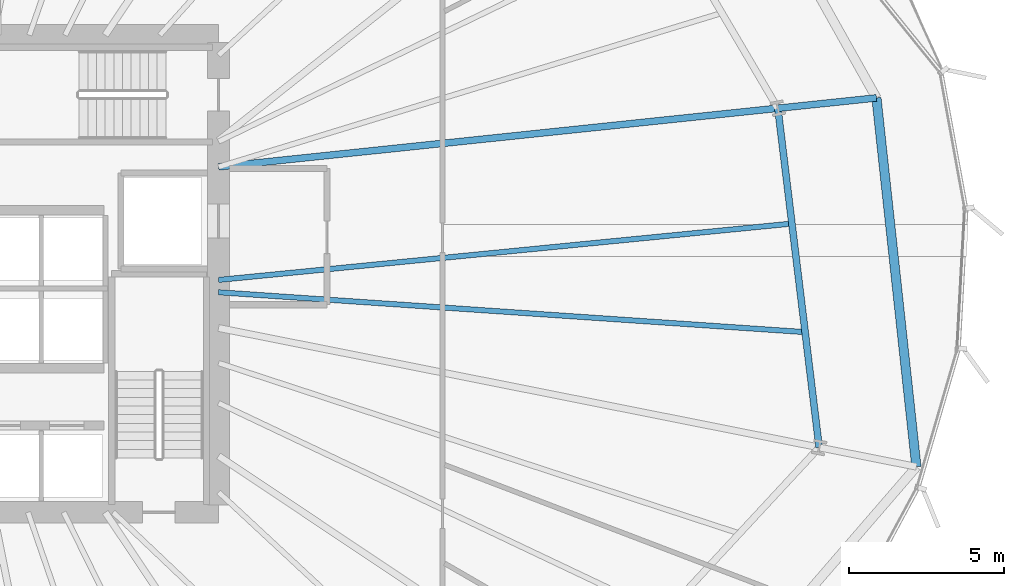
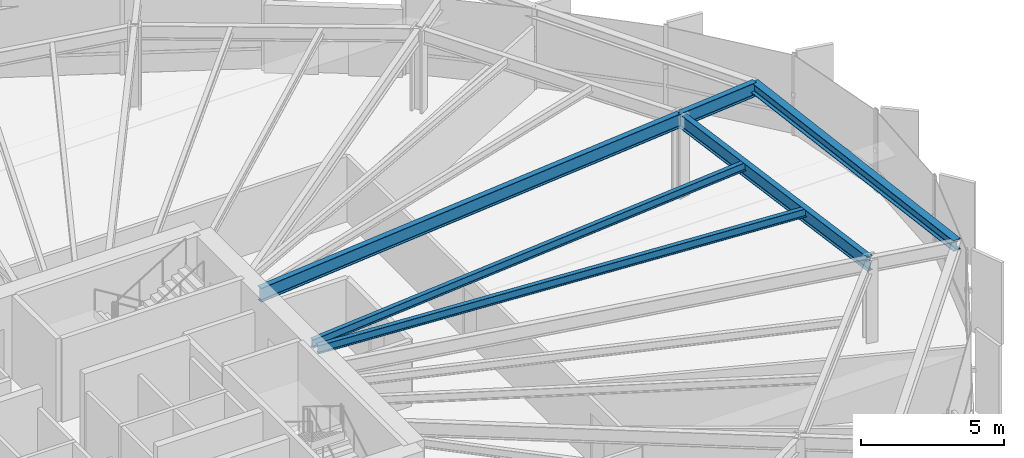
# One storey, part 17 of 39: 6 beams.
"""IFC4 building model written with IfcOpenShell, lengths in metres."""

import ifcopenshell
import ifcopenshell.guid

model = None  # the IFC model being written
_history = None  # IfcOwnerHistory: only IFC2X3 demands one
_inside = {}  # id of a spatial element -> (the spatial element, [elements in it])
_under = {}  # id of a project, library or spatial element -> (it, [spatial elements below it])
_declared = {}  # id of a project -> (the project, [libraries it declares])
_typed = {}  # id of a type object -> (the type object, [elements of that type])
_made_of = {}  # id of a material, layer set ... -> (it, [elements and type objects made of it])


def new_model(schema):
    """Start an empty IFC model of exactly this schema.

    Asked for "IFC4X3", IfcOpenShell would pick the latest addendum, in which some entities
    have other attributes; the version numbers below select the first issue.
    IFC2X3 requires an IfcOwnerHistory on every rooted entity: one is made here for all.
    """
    global model, _history
    if schema == "IFC4X3":
        model = ifcopenshell.file(schema_version=(4, 3, 0, 0))
    else:
        model = ifcopenshell.file(schema=schema)
    _inside.clear()
    _under.clear()
    _declared.clear()
    _typed.clear()
    _made_of.clear()
    _history = None
    if model.schema == "IFC2X3":
        org = make("IfcOrganization", Name="unknown")
        user = make(
            "IfcPersonAndOrganization",
            ThePerson=make("IfcPerson", FamilyName="unknown"),
            TheOrganization=org,
        )
        app = make(
            "IfcApplication",
            ApplicationDeveloper=org,
            Version="unknown",
            ApplicationFullName="unknown",
            ApplicationIdentifier="unknown",
        )
        _history = make(
            "IfcOwnerHistory",
            OwningUser=user,
            OwningApplication=app,
            ChangeAction="ADDED",
            CreationDate=0,
        )
    return model


def make(cls, **values):
    """One entity of the class cls with the attributes given. An attribute that is None is left unset."""
    return model.create_entity(
        cls, **{name: value for name, value in values.items() if value is not None}
    )


def rooted(cls, **values):
    """An entity with a GlobalId (a new one), such as an element, a storey or a relation."""
    return make(cls, GlobalId=ifcopenshell.guid.new(), OwnerHistory=_history, **values)


def si_unit(unit_type, name, prefix=None):
    """IfcSIUnit, for example si_unit("LENGTHUNIT", "METRE", prefix="MILLI")."""
    return make("IfcSIUnit", UnitType=unit_type, Prefix=prefix, Name=name)


def assignment(units):
    """IfcUnitAssignment: the units of a project."""
    return None if units is None else make("IfcUnitAssignment", Units=units)


def point(xyz):
    """IfcCartesianPoint."""
    return None if xyz is None else make("IfcCartesianPoint", Coordinates=xyz)


def direction(xyz):
    """IfcDirection."""
    return None if xyz is None else make("IfcDirection", DirectionRatios=xyz)


def frame(location, z_axis=None, x_axis=None):
    """IfcAxis2Placement3D, a coordinate frame: its origin and axes. An axis left out is left unset."""
    return make(
        "IfcAxis2Placement3D",
        Location=point(location),
        Axis=direction(z_axis),
        RefDirection=direction(x_axis),
    )


def frame_2d(location, x_axis=None):
    """IfcAxis2Placement2D, a coordinate frame in the plane: its origin and x axis."""
    return make(
        "IfcAxis2Placement2D", Location=point(location), RefDirection=direction(x_axis)
    )


def origin():
    """The frame at (0, 0, 0) with its axes left unset."""
    return frame((0.0, 0.0, 0.0))


def origin_2d():
    """The frame at (0, 0) in the plane with its x axis left unset."""
    return frame_2d((0.0, 0.0))


def place(relative_to, where):
    """IfcLocalPlacement: puts the frame where relative to a parent placement (None: the world)."""
    return make(
        "IfcLocalPlacement", PlacementRelTo=relative_to, RelativePlacement=where
    )


def context(
    kind, dimensions, precision=None, world=None, true_north=None, identifier=None
):
    """IfcGeometricRepresentationContext, for example the 3D "Model" context."""
    return make(
        "IfcGeometricRepresentationContext",
        ContextIdentifier=identifier,
        ContextType=kind,
        CoordinateSpaceDimension=dimensions,
        Precision=precision,
        WorldCoordinateSystem=world,
        TrueNorth=true_north,
    )


def subcontext(parent, identifier, kind, view, scale=None):
    """IfcGeometricRepresentationSubContext, for example "Body" below "Model"."""
    return make(
        "IfcGeometricRepresentationSubContext",
        ContextIdentifier=identifier,
        ContextType=kind,
        ParentContext=parent,
        TargetScale=scale,
        TargetView=view,
    )


def project(units=None, contexts=None):
    """IfcProject with its units and contexts."""
    return rooted(
        "IfcProject",
        Name="project",
        RepresentationContexts=contexts,
        UnitsInContext=assignment(units),
    )


def spatial(cls, under=None, at=None, **own):
    """A site, building, storey or space (cls), placed at a placement, below another one or the project."""
    s = rooted(cls, ObjectPlacement=at, **own)
    if under is not None:
        _under.setdefault(under.id(), (under, []))[1].append(s)
    return s


def profile(cls, at=None, kind="AREA", **sizes):
    """A parametric profile (cls). Its sizes go by their IFC names, for example OverallWidth=200.0."""
    return make(cls, ProfileType=kind, Position=at, **sizes)


def i_section(**sizes):
    """IfcIShapeProfileDef."""
    return profile("IfcIShapeProfileDef", **sizes)


def extrude(swept, where, along, depth):
    """IfcExtrudedAreaSolid: the profile swept, set in the frame where, extruded along a direction by depth."""
    return make(
        "IfcExtrudedAreaSolid",
        SweptArea=swept,
        Position=where,
        ExtrudedDirection=direction(along),
        Depth=depth,
    )


def shape(context_of_items, identifier, shape_type, items):
    """IfcShapeRepresentation: the items that make up one representation, for example the "Body"."""
    return make(
        "IfcShapeRepresentation",
        ContextOfItems=context_of_items,
        RepresentationIdentifier=identifier,
        RepresentationType=shape_type,
        Items=items,
    )


def source(mapping_origin, context_of_items, identifier, shape_type, items):
    """IfcRepresentationMap: a shape defined once, which mapped items show again and again."""
    return make(
        "IfcRepresentationMap",
        MappingOrigin=mapping_origin,
        MappedRepresentation=shape(context_of_items, identifier, shape_type, items),
    )


def transform(
    local_origin,
    x_axis=None,
    y_axis=None,
    z_axis=None,
    scale=None,
    scale2=None,
    scale3=None,
    uniform=True,
):
    """IfcCartesianTransformationOperator3D, or its non-uniform kind. x_axis, y_axis, z_axis: its Axis1, 2, 3."""
    if uniform:
        return make(
            "IfcCartesianTransformationOperator3D",
            Axis1=direction(x_axis),
            Axis2=direction(y_axis),
            LocalOrigin=point(local_origin),
            Scale=scale,
            Axis3=direction(z_axis),
        )
    return make(
        "IfcCartesianTransformationOperator3DnonUniform",
        Axis1=direction(x_axis),
        Axis2=direction(y_axis),
        LocalOrigin=point(local_origin),
        Scale=scale,
        Axis3=direction(z_axis),
        Scale2=scale2,
        Scale3=scale3,
    )


def mapped(mapping_source, mapping_target):
    """IfcMappedItem: shows the shape of a source again, moved by a transform."""
    return make(
        "IfcMappedItem", MappingSource=mapping_source, MappingTarget=mapping_target
    )


def material(Name=None, Category=None):
    """IfcMaterial."""
    return make("IfcMaterial", Name=Name, Category=Category)


def material_profile(
    of_material, cross_section, Name=None, Category=None, Priority=None
):
    """IfcMaterialProfile: a cross section and its material."""
    return make(
        "IfcMaterialProfile",
        Name=Name,
        Material=of_material,
        Profile=cross_section,
        Priority=Priority,
        Category=Category,
    )


def profile_set(profiles, Name=None, composite=None):
    """IfcMaterialProfileSet."""
    return make(
        "IfcMaterialProfileSet",
        Name=Name,
        MaterialProfiles=profiles,
        CompositeProfile=composite,
    )


def made_of(thing, what):
    """Note that an element or type object is made of a material, layer set ...; save() writes the relation."""
    if what is not None:
        _made_of.setdefault(what.id(), (what, []))[1].append(thing)
    return thing


def type_object(cls, material=None, **own):
    """A type object (cls), such as IfcWallType, which elements share."""
    return made_of(rooted(cls, **own), material)


def element(
    cls,
    number,
    at=None,
    inside=None,
    cuts=None,
    type_object=None,
    material=None,
    context=None,
    identifier="Body",
    shape_type=None,
    held_by="IfcProductDefinitionShape",
    body=None,
    shapes=None,
    **own,
):
    """One element of the class cls, such as IfcWall. Its Tag is "e" and its number.

    at: its placement. inside: the storey or other place that contains it. cuts: it is an
    opening in that element (IfcRelVoidsElement). A single representation is given by context,
    identifier, shape_type and body (its items); several are given by shapes. held_by: the class
    of the entity that holds the representations. save() writes the other relations.
    """
    e = rooted(cls, Tag="e%d" % number, ObjectPlacement=at, **own)
    if body is not None:
        shapes = [shape(context, identifier, shape_type, body)]
    if shapes is not None:
        e.Representation = make(held_by, Representations=shapes)
    if inside is not None:
        _inside.setdefault(inside.id(), (inside, []))[1].append(e)
    if cuts is not None:
        rooted(
            "IfcRelVoidsElement", RelatingBuildingElement=cuts, RelatedOpeningElement=e
        )
    if type_object is not None:
        _typed.setdefault(type_object.id(), (type_object, []))[1].append(e)
    return made_of(e, material)


def aggregate(whole, parts):
    """IfcRelAggregates: a whole, such as a stair, and the parts it consists of."""
    return rooted("IfcRelAggregates", RelatingObject=whole, RelatedObjects=parts)


def save(model, path):
    """Write the relations noted so far, then the file.

    IfcRelAggregates (storeys below a building ...), IfcRelContainedInSpatialStructure (elements
    in a storey), IfcRelDefinesByType, IfcRelAssociatesMaterial and IfcRelDeclares: one each for
    every whole, place, type object, material and project.
    """
    for whole, parts in _under.values():
        aggregate(whole, parts)
    for where, things in _inside.values():
        rooted(
            "IfcRelContainedInSpatialStructure",
            RelatedElements=things,
            RelatingStructure=where,
        )
    for kind, things in _typed.values():
        rooted("IfcRelDefinesByType", RelatedObjects=things, RelatingType=kind)
    for what, things in _made_of.values():
        rooted("IfcRelAssociatesMaterial", RelatedObjects=things, RelatingMaterial=what)
    for by, libraries in _declared.values():
        rooted("IfcRelDeclares", RelatingContext=by, RelatedDefinitions=libraries)
    model.write(path)


model = new_model("IFC4")

# Units and contexts
model_context = context("Model", 3, precision=1e-05, world=origin(), true_north=direction((0.0, 1.0)))
body_context = subcontext(model_context, "Body", "Model", "MODEL_VIEW")
ifc_project = project(units=[si_unit("LENGTHUNIT", "METRE"), si_unit("AREAUNIT", "SQUARE_METRE"), si_unit("VOLUMEUNIT", "CUBIC_METRE"), si_unit("PLANEANGLEUNIT", "RADIAN"), si_unit("MASSUNIT", "GRAM", prefix="KILO"), si_unit("THERMODYNAMICTEMPERATUREUNIT", "KELVIN")], contexts=[model_context])

# Site, building, storey
site_placement = place(None, origin())
site = spatial("IfcSite", under=ifc_project, at=site_placement, CompositionType="ELEMENT")
building_placement = place(site_placement, origin())
building = spatial("IfcBuilding", under=site, at=building_placement, Name="Kethvar Cultural Tower", CompositionType="ELEMENT")
storey_placement = place(building_placement, frame((0.0, 0.0, 44.800048828125)))
storey = spatial("IfcBuildingStorey", under=building, at=storey_placement, Name="L10", CompositionType="ELEMENT", Elevation=44.800048828125)

# Beams
ifc_material = material(Name="Steel S355J2", Category="steel")
ifc_material_profile_1 = material_profile(ifc_material, i_section(OverallWidth=0.219970703125, OverallDepth=0.60009765625, WebThickness=0.011962890625, FlangeThickness=0.01904296875, FilletRadius=0.02392578125, at=origin_2d()), Name="Steel S355J2 — IPE600")
ifc_profile_set_1 = profile_set([ifc_material_profile_1], Name="Steel S355J2 — IPE600")
beam_type_1 = type_object("IfcBeamType", Name="BM-IPE600", PredefinedType="BEAM", material=ifc_profile_set_1)
shared_shape_1 = source(origin(), body_context, "Body", "SweptSolid", [
    extrude(i_section(OverallWidth=0.219970703125, OverallDepth=0.60009765625, WebThickness=0.011962890625, FlangeThickness=0.01904296875, FilletRadius=0.02392578125, at=origin_2d()), origin(), (0.0, 0.0, 1.0), 18.155517578125),
])
beam_1_placement = place(storey_placement, frame((55.60009765625, 31.25, 3.248046875), z_axis=(0.994554710129, 0.104215778847, 0.0), x_axis=(-0.104215778847, 0.994554710129, 0.0)))
element("IfcBeam", 1, at=beam_1_placement, inside=storey, type_object=beam_type_1, Name="L10 Primary Radial Beam RB-01", PredefinedType="BEAM", context=body_context, shape_type="MappedRepresentation", body=[
    mapped(shared_shape_1, transform((0.0, 0.0, 0.0), scale=1.0)),
])
shared_shape_2 = source(origin(), body_context, "Body", "SweptSolid", [
    extrude(i_section(OverallWidth=0.219970703125, OverallDepth=0.60009765625, WebThickness=0.011962890625, FlangeThickness=0.01904296875, FilletRadius=0.02392578125, at=origin_2d()), origin(), (0.0, 0.0, 1.0), 3.199951171875),
])
beam_2_placement = place(storey_placement, frame((73.65673828125, 33.14208984375, 3.248046875), z_axis=(0.994554671638, 0.104216146169, 0.0), x_axis=(-0.104216146169, 0.994554671638, 0.0)))
element("IfcBeam", 2, at=beam_2_placement, inside=storey, type_object=beam_type_1, Name="L10 Perimeter Cantilever Beam RC-01", PredefinedType="BEAM", context=body_context, shape_type="MappedRepresentation", body=[
    mapped(shared_shape_2, transform((0.0, 0.0, 0.0), scale=1.0)),
])
shared_shape_3 = source(origin(), body_context, "Body", "SweptSolid", [
    extrude(i_section(OverallWidth=0.219970703125, OverallDepth=0.60009765625, WebThickness=0.011962890625, FlangeThickness=0.01904296875, FilletRadius=0.02392578125, at=origin_2d()), origin(), (0.0, 0.0, 1.0), 11.03076171875),
])
beam_3_placement = place(storey_placement, frame((74.9912109375, 22.1923828125, 3.248046875), z_axis=(-0.120977779442, 0.992655215511, 0.0), x_axis=(-0.992655215511, -0.120977779442, 0.0)))
element("IfcBeam", 3, at=beam_3_placement, inside=storey, type_object=beam_type_1, Name="L10 Column Ring Tie Beam CR-16", PredefinedType="BEAM", context=body_context, shape_type="MappedRepresentation", body=[
    mapped(shared_shape_3, transform((0.0, 0.0, 0.0), scale=1.0)),
])
ifc_material_profile_2 = material_profile(ifc_material, i_section(OverallWidth=0.169921875, OverallDepth=0.360107421875, WebThickness=0.008056640625, FlangeThickness=0.0126953125, FilletRadius=0.01806640625, at=origin_2d()), Name="Steel S355J2 — IPE360")
ifc_profile_set_2 = profile_set([ifc_material_profile_2], Name="Steel S355J2 — IPE360")
beam_type_2 = type_object("IfcBeamType", Name="BM-J360", PredefinedType="JOIST", material=ifc_profile_set_2)
shared_shape_4 = source(origin(), body_context, "Body", "SweptSolid", [
    extrude(i_section(OverallWidth=0.169921875, OverallDepth=0.360107421875, WebThickness=0.008056640625, FlangeThickness=0.0126953125, FilletRadius=0.01806640625, at=origin_2d()), origin(), (0.0, 0.0, 1.0), 18.981201171875),
])
beam_4_placement = place(storey_placement, frame((55.60009765625, 27.2021484375, 3.367919921875), z_axis=(0.997699141247, -0.067796928805, 0.0), x_axis=(0.067796928805, 0.997699141247, 0.0)))
element("IfcBeam", 4, at=beam_4_placement, inside=storey, type_object=beam_type_2, Name="L10 Composite Floor Joist J-16A", PredefinedType="JOIST", context=body_context, shape_type="MappedRepresentation", body=[
    mapped(shared_shape_4, transform((0.0, 0.0, 0.0), scale=1.0)),
])
shared_shape_5 = source(origin(), body_context, "Body", "SweptSolid", [
    extrude(i_section(OverallWidth=0.169921875, OverallDepth=0.360107421875, WebThickness=0.008056640625, FlangeThickness=0.0126953125, FilletRadius=0.01806640625, at=origin_2d()), origin(), (0.0, 0.0, 1.0), 18.599609375),
])
beam_5_placement = place(storey_placement, frame((55.60009765625, 27.60009765625, 3.367919921875), z_axis=(0.995205855092, 0.097802382335, 0.0), x_axis=(-0.097802382335, 0.995205855092, 0.0)))
element("IfcBeam", 5, at=beam_5_placement, inside=storey, type_object=beam_type_2, Name="L10 Composite Floor Joist J-16B", PredefinedType="JOIST", context=body_context, shape_type="MappedRepresentation", body=[
    mapped(shared_shape_5, transform((0.0, 0.0, 0.0), scale=1.0)),
])
ifc_material_profile_3 = material_profile(ifc_material, i_section(OverallWidth=0.300048828125, OverallDepth=0.449951171875, WebThickness=0.013916015625, FlangeThickness=0.02587890625, FilletRadius=0.027099609375, at=origin_2d()), Name="Steel S355J2 — HEB450")
ifc_profile_set_3 = profile_set([ifc_material_profile_3], Name="Steel S355J2 — HEB450")
beam_type_3 = type_object("IfcBeamType", Name="BM-SP450", PredefinedType="SPANDREL", material=ifc_profile_set_3)
shared_shape_6 = source(origin(), body_context, "Body", "SweptSolid", [
    extrude(i_section(OverallWidth=0.300048828125, OverallDepth=0.449951171875, WebThickness=0.013916015625, FlangeThickness=0.02587890625, FilletRadius=0.027099609375, at=origin_2d()), origin(), (0.0, 0.0, 1.0), 11.977294921875),
])
beam_6_placement = place(storey_placement, frame((78.129638671875, 21.568115234375, 3.322998046875), z_axis=(-0.107728520761, 0.994180348737, 0.0), x_axis=(-0.994180348737, -0.107728520761, 0.0)))
element("IfcBeam", 6, at=beam_6_placement, inside=storey, type_object=beam_type_3, Name="L10 Perimeter Spandrel Beam SP-16", PredefinedType="SPANDREL", context=body_context, shape_type="MappedRepresentation", body=[
    mapped(shared_shape_6, transform((0.0, 0.0, 0.0), scale=1.0)),
])

save(model, "model.ifc")
